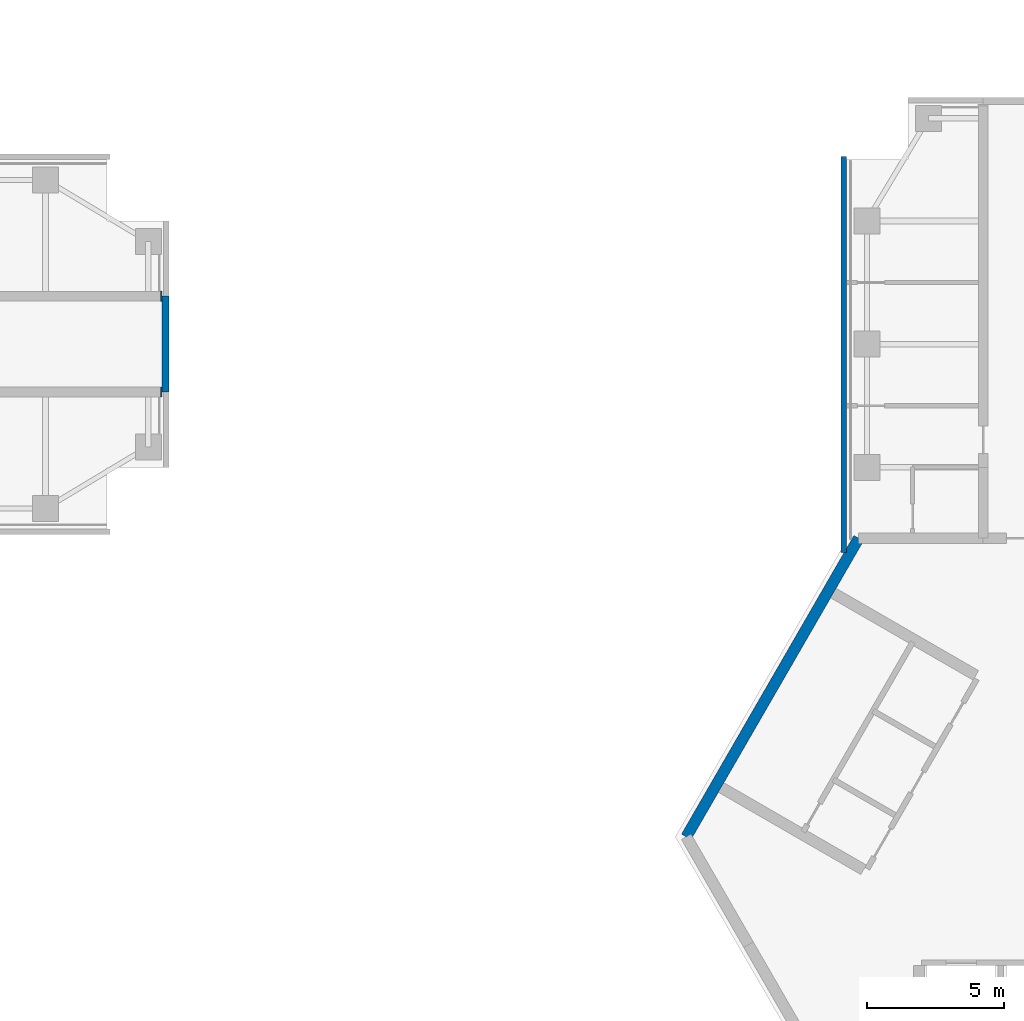
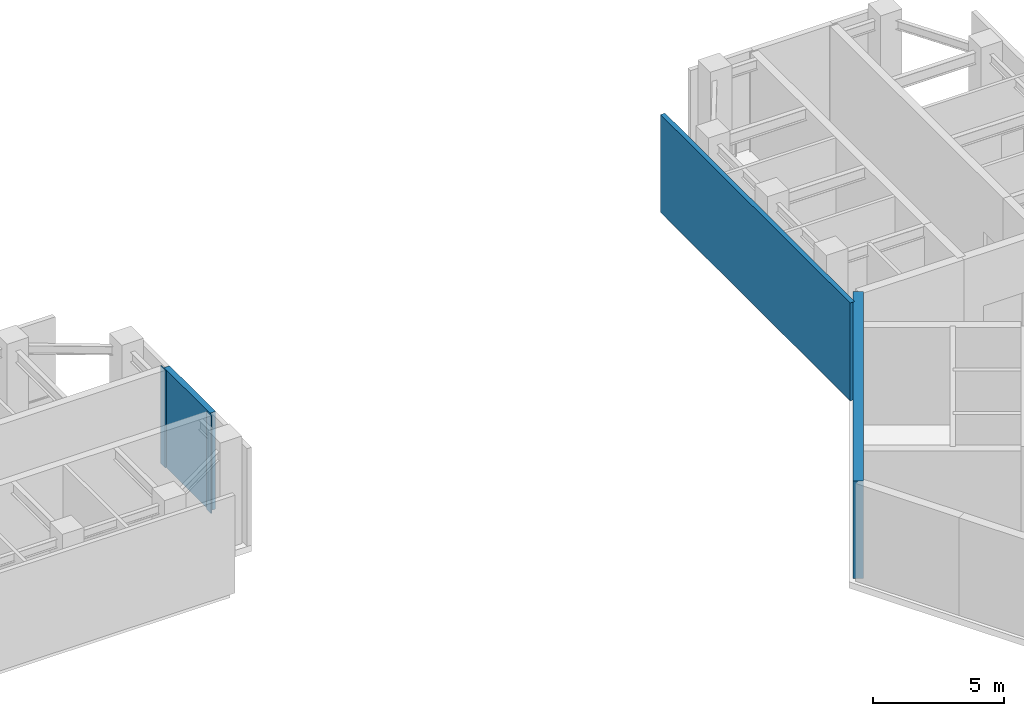
# One storey, part 3 of 8: 5 walls.
"""IFC4 building model written with IfcOpenShell, lengths in metres."""

from ifc_helpers import new_model, si_unit, direction, frame, frame_2d, origin, place, context, subcontext, project, spatial, rectangle, extrude, material, layer, layer_set, type_object, element, save


model = new_model("IFC4")

# Units and contexts
model_context = context("Model", 3, precision=1e-05, world=origin(), true_north=direction((0.0, 1.0)))
body_context = subcontext(model_context, "Body", "Model", "MODEL_VIEW")
ifc_project = project(units=[si_unit("LENGTHUNIT", "METRE"), si_unit("AREAUNIT", "SQUARE_METRE"), si_unit("VOLUMEUNIT", "CUBIC_METRE"), si_unit("PLANEANGLEUNIT", "RADIAN"), si_unit("MASSUNIT", "GRAM", prefix="KILO")], contexts=[model_context])

# Site, building, storey
site_placement = place(None, origin())
site = spatial("IfcSite", under=ifc_project, at=site_placement, CompositionType="ELEMENT")
building_placement = place(site_placement, origin())
building = spatial("IfcBuilding", under=site, at=building_placement, Name="Upepo Twin Towers", CompositionType="ELEMENT")
storey_placement = place(building_placement, frame((0.0, 0.0, 291.5)))
storey = spatial("IfcBuildingStorey", under=building, at=storey_placement, Name="L71", CompositionType="ELEMENT", Elevation=291.5)

# Walls
ifc_material_1 = material(Name="Precast concrete breeze blocks", Category="concrete")
ifc_layer_1 = layer(ifc_material_1, 0.199951171875)
ifc_layer_set_1 = layer_set([ifc_layer_1], Name="Breeze-block screen wall 200")
wall_type_1 = type_object("IfcWallType", Name="Breeze-block screen wall 200", PredefinedType="USERDEFINED", material=ifc_layer_set_1)
wall_1_placement = place(storey_placement, frame((51.64990234375, -7.61279296875, 0.0), z_axis=(0.0, 0.0, 1.0), x_axis=(0.0, 1.0, 0.0)))
element("IfcWall", 1, at=wall_1_placement, inside=storey, type_object=wall_type_1, Name="T2 L71 wing A screen L", ObjectType="SCREEN", PredefinedType="USERDEFINED", context=body_context, shape_type="SweptSolid", body=[
    extrude(rectangle(XDim=14.462890625, YDim=0.199951171875, at=frame_2d((7.2314453125, 0.0))), origin(), (0.0, 0.0, 1.0), 4.550048828125),
])
ifc_material_2 = material(Name="Dense concrete blockwork", Category="masonry")
ifc_layer_2 = layer(ifc_material_2, 0.35009765625)
ifc_layer_set_2 = layer_set([ifc_layer_2], Name="Buttress closer 350, blockwork with fire-stopping to the curtain wall")
wall_type_2 = type_object("IfcWallType", Name="Buttress closer 350, blockwork with fire-stopping to the curtain wall", PredefinedType="PARTITIONING", material=ifc_layer_set_2)
for number, where, z_axis, x_axis, name in (
    (2, (26.699951171875, 1.75, 0.0), (0.0, 0.0, 1.0), (1.0, 0.0, 0.0), "T1 L71 wing A buttress closer L"),
    (3, (26.699951171875, -1.75, 0.0), (0.0, 0.0, 1.0), (1.0, 0.0, 0.0), "T1 L71 wing A buttress closer R"),
):
    element("IfcWall", number, at=place(storey_placement, frame(where, z_axis=z_axis, x_axis=x_axis)), inside=storey, type_object=wall_type_2, Name=name, PredefinedType="PARTITIONING", context=body_context, shape_type="SweptSolid", body=[
        extrude(rectangle(XDim=0.050048828125, YDim=0.35009765625, at=frame_2d((0.02490234375, 0.0))), origin(), (0.0, 0.0, 1.0), 4.550048828125),
    ])
ifc_material_3 = material(Name="Concrete C60/75", Category="concrete")
ifc_layer_3 = layer(ifc_material_3, 0.39990234375)
ifc_layer_set_3 = layer_set([ifc_layer_3], Name="Concrete C60/75")
wall_type_3 = type_object("IfcWallType", Name="Core wall 400 RC", PredefinedType="SHEAR", material=ifc_layer_set_3)
wall_2_placement = place(storey_placement, frame((52.2021484375, -7.091552734375, 0.0), z_axis=(0.0, 0.0, 1.0), x_axis=(-0.500005998175, -0.866021940709, 0.0)))
element("IfcWall", 4, at=wall_2_placement, inside=storey, type_object=wall_type_3, Name="T2 core wall 060", PredefinedType="SHEAR", context=body_context, shape_type="SweptSolid", body=[
    extrude(rectangle(XDim=12.595947265625, YDim=0.39990234375, at=frame_2d((6.2978515625, 0.0))), origin(), (0.0, 0.0, 1.0), 4.550048828125),
])
ifc_material_4 = material(Name="Blockwork with anodised aluminium cladding", Category="masonry")
ifc_layer_4 = layer(ifc_material_4, 0.25)
ifc_layer_set_4 = layer_set([ifc_layer_4], Name="Notch cladding wall 250, pale metal")
wall_type_4 = type_object("IfcWallType", Name="Notch cladding wall 250, pale metal", PredefinedType="STANDARD", material=ifc_layer_set_4)
wall_3_placement = place(storey_placement, frame((26.875, -1.75, 0.0), z_axis=(0.0, 0.0, 1.0), x_axis=(0.0, 1.0, 0.0)))
element("IfcWall", 5, at=wall_3_placement, inside=storey, type_object=wall_type_4, Name="T1 L71 wing A nose wall", PredefinedType="STANDARD", context=body_context, shape_type="SweptSolid", body=[
    extrude(rectangle(XDim=3.5, YDim=0.25, at=frame_2d((1.75, 0.0))), origin(), (0.0, 0.0, 1.0), 4.550048828125),
])

save(model, "model.ifc")
